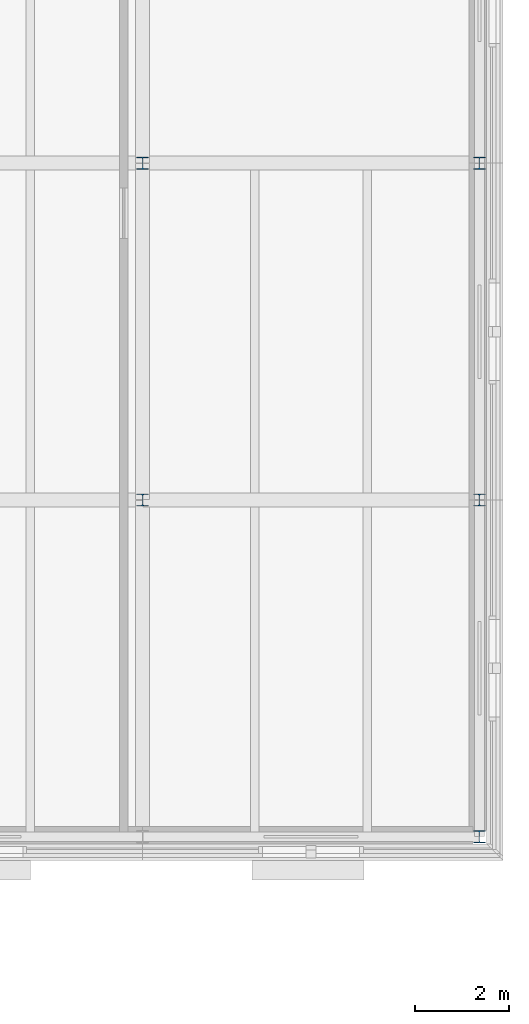
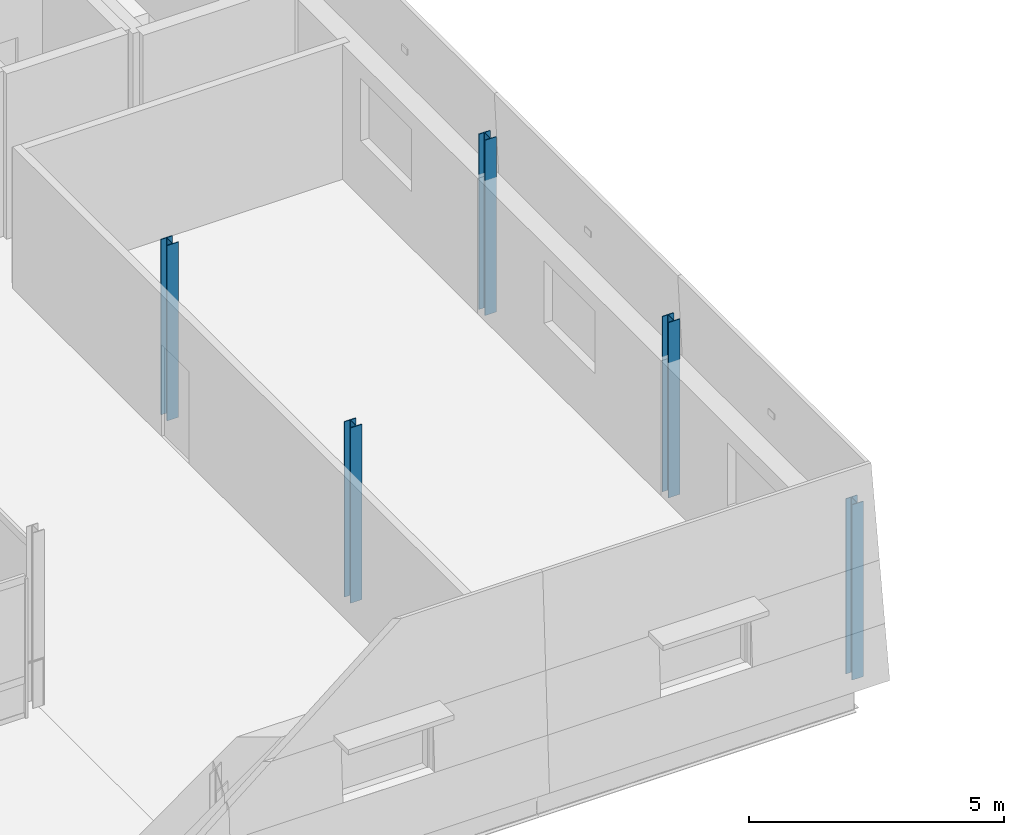
# One storey, part 15 of 115: 5 columns.
"""IFC4 building model written with IfcOpenShell, lengths in metres."""

from ifc_helpers import new_model, si_unit, direction, frame, origin, origin_2d, place, context, subcontext, project, spatial, i_section, extrude, material, material_profile, profile_set, type_object, element, save


model = new_model("IFC4")

# Units and contexts
model_context = context("Model", 3, precision=1e-05, world=origin(), true_north=direction((0.0, 1.0)))
body_context = subcontext(model_context, "Body", "Model", "MODEL_VIEW")
ifc_project = project(units=[si_unit("LENGTHUNIT", "METRE"), si_unit("AREAUNIT", "SQUARE_METRE"), si_unit("VOLUMEUNIT", "CUBIC_METRE"), si_unit("PLANEANGLEUNIT", "RADIAN"), si_unit("MASSUNIT", "GRAM", prefix="KILO")], contexts=[model_context])

# Site, building, storey
site_placement = place(None, origin())
site = spatial("IfcSite", under=ifc_project, at=site_placement, CompositionType="ELEMENT")
building_placement = place(site_placement, origin())
building = spatial("IfcBuilding", under=site, at=building_placement, Name="Narikvali Park Central Library", CompositionType="ELEMENT")
storey_placement = place(building_placement, frame((0.0, 0.0, 10.199951171875)))
storey = spatial("IfcBuildingStorey", under=building, at=storey_placement, Name="L02", CompositionType="ELEMENT", Elevation=10.199951171875)

# Columns
ifc_material = material(Name="Steel S355", Category="steel")
ifc_material_profile = material_profile(ifc_material, i_section(OverallWidth=0.260009765625, OverallDepth=0.260009765625, WebThickness=0.010009765625, FlangeThickness=0.017578125, FilletRadius=0.02392578125, at=origin_2d()), Name="HEB 260")
ifc_profile_set = profile_set([ifc_material_profile], Name="Steel S355")
column_type = type_object("IfcColumnType", Name="Steel Column HEB260", PredefinedType="COLUMN", material=ifc_profile_set)
for number, where, z_axis, x_axis, name in (
    (1, (158.39990234375, 86.39990234375, 0.0), (0.0, 0.0, 1.0), (1.0, 0.0, 0.0), "V3 L02 Column (158.4,86.4)"),
    (2, (158.39990234375, 93.60009765625, 0.0), (0.0, 0.0, 1.0), (1.0, 0.0, 0.0), "V3 L02 Column (158.4,93.6)"),
    (3, (165.60009765625, 79.199951171875, 0.0), (0.0, 0.0, 1.0), (1.0, 0.0, 0.0), "V3 L02 Column (165.6,79.2)"),
    (4, (165.60009765625, 86.39990234375, 0.0), (0.0, 0.0, 1.0), (1.0, 0.0, 0.0), "V3 L02 Column (165.6,86.4)"),
    (5, (165.60009765625, 93.60009765625, 0.0), (0.0, 0.0, 1.0), (1.0, 0.0, 0.0), "V3 L02 Column (165.6,93.6)"),
):
    element("IfcColumn", number, at=place(storey_placement, frame(where, z_axis=z_axis, x_axis=x_axis)), inside=storey, type_object=column_type, Name=name, PredefinedType="COLUMN", context=body_context, shape_type="SweptSolid", body=[
        extrude(i_section(OverallWidth=0.260009765625, OverallDepth=0.260009765625, WebThickness=0.010009765625, FlangeThickness=0.017578125, FilletRadius=0.02392578125, at=origin_2d()), origin(), (0.0, 0.0, 1.0), 4.199951171875),
    ])

save(model, "model.ifc")
